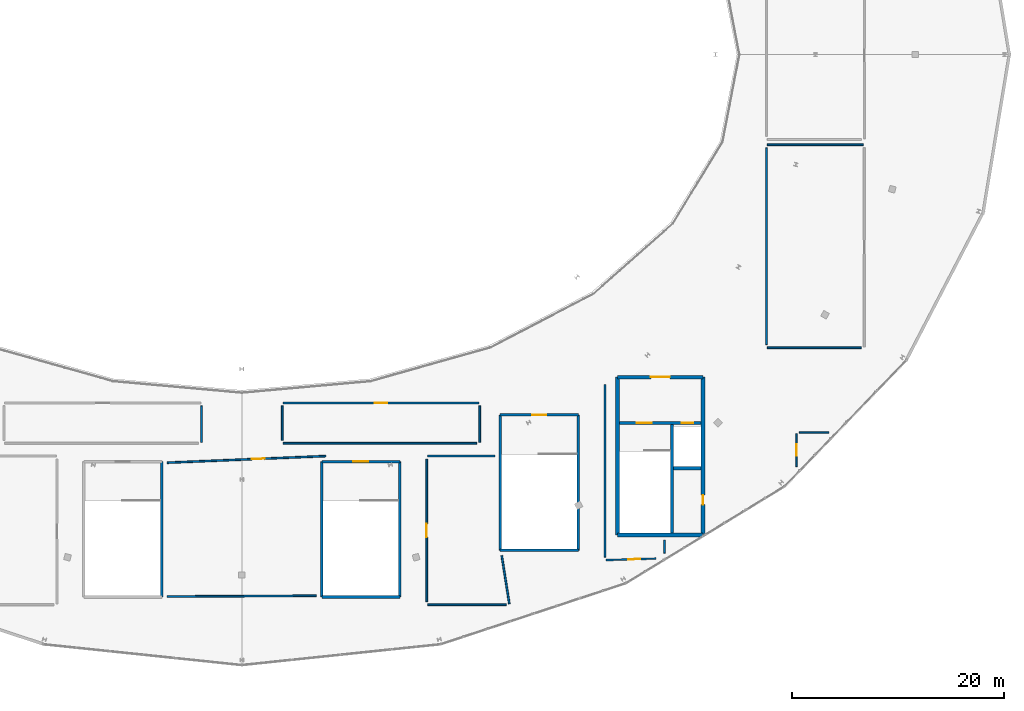
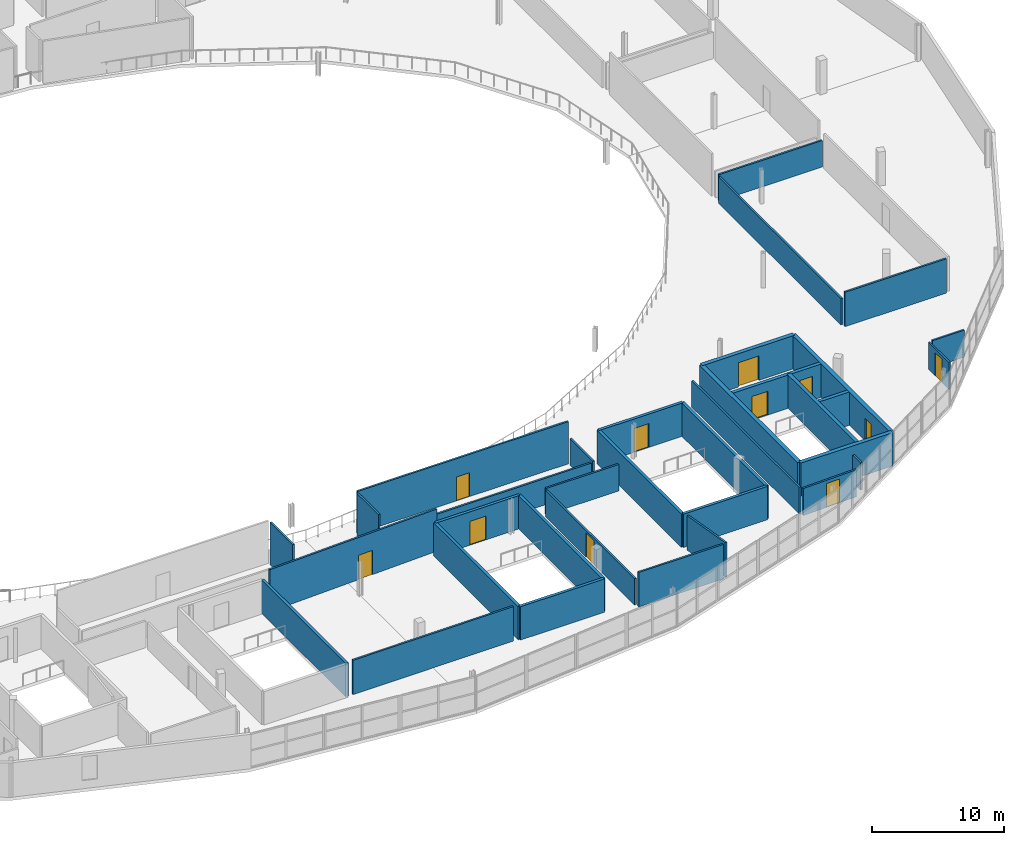
# One storey, part 27 of 35: 35 walls, 11 doors, 11 openings.
"""IFC4 building model written with IfcOpenShell, lengths in metres."""

from ifc_helpers import new_model, si_unit, direction, frame, frame_2d, origin, place, context, subcontext, project, spatial, rectangle, extrude, material, layer, layer_set, type_object, element, fill, save


model = new_model("IFC4")

# Units and contexts
model_context = context("Model", 3, precision=1e-05, world=origin(), true_north=direction((0.0, 1.0)))
body_context = subcontext(model_context, "Body", "Model", "MODEL_VIEW")
ifc_project = project(units=[si_unit("LENGTHUNIT", "METRE"), si_unit("AREAUNIT", "SQUARE_METRE"), si_unit("VOLUMEUNIT", "CUBIC_METRE"), si_unit("PLANEANGLEUNIT", "RADIAN"), si_unit("MASSUNIT", "GRAM", prefix="KILO")], contexts=[model_context])

# Site, building, storey
site_placement = place(None, origin())
site = spatial("IfcSite", under=ifc_project, at=site_placement, CompositionType="ELEMENT")
building_placement = place(site_placement, origin())
building = spatial("IfcBuilding", under=site, at=building_placement, Name="Kalgoora Escarpment Arena", CompositionType="ELEMENT")
storey_placement = place(building_placement, frame((0.0, 0.0, 23.39990234375)))
storey = spatial("IfcBuildingStorey", under=building, at=storey_placement, Name="L05", CompositionType="ELEMENT", Elevation=23.39990234375)

# Wall
ifc_material_1 = material(Name="Concrete N50 (fc' 50 MPa)", Category="concrete")
ifc_layer_1 = layer(ifc_material_1, 0.35009765625)
ifc_layer_set_1 = layer_set([ifc_layer_1], Name="WAL-CORE-350")
wall_type_1 = type_object("IfcWallType", Name="WAL-CORE-350", PredefinedType="SHEAR", material=ifc_layer_set_1)
wall_1_placement = place(storey_placement, frame((127.77490234375, 18.77490234375, 0.0), z_axis=(0.0, 0.0, 1.0), x_axis=(1.0, 0.0, 0.0)))
element("IfcWall", 1, at=wall_1_placement, inside=storey, type_object=wall_type_1, Name="Core C6 L05 south shear wall", PredefinedType="SHEAR", context=body_context, shape_type="SweptSolid", body=[
    extrude(rectangle(XDim=8.050048828125, YDim=0.35009765625, at=frame_2d((4.02490234375, 0.0))), origin(), (0.0, 0.0, 1.0), 3.080078125),
])

# Wall, opening, door
wall_2_placement = place(storey_placement, frame((127.77490234375, 33.625, 0.0), z_axis=(0.0, 0.0, 1.0), x_axis=(1.0, 0.0, 0.0)))
wall_2 = element("IfcWall", 2, at=wall_2_placement, inside=storey, type_object=wall_type_1, Name="Core C6 L05 north lobby wall", PredefinedType="SHEAR", context=body_context, shape_type="SweptSolid", body=[
    extrude(rectangle(XDim=8.050048828125, YDim=0.35009765625, at=frame_2d((4.02490234375, 0.0))), origin(), (0.0, 0.0, 1.0), 3.080078125),
])
opening_1_placement = place(wall_2_placement, frame((3.125, 0.0, 0.0)))
opening_1 = element("IfcOpeningElement", 3, at=opening_1_placement, cuts=wall_2, Name="Opening FD-C6L", PredefinedType="OPENING", context=body_context, shape_type="SweptSolid", body=[
    extrude(rectangle(XDim=1.800048828125, YDim=2.25, at=frame_2d((0.89990234375, 1.125))), frame((0.0, 0.18505859375, 0.0), z_axis=(0.0, -1.0, 0.0), x_axis=(1.0, 0.0, 0.0)), (0.0, 0.0, 1.0), 0.3701171875),
])
ifc_material_2 = material(Name="Double fire-rated smoke-seal lobby door")
door_type_1 = type_object("IfcDoorType", Name="DR-LOBBY-1800", OperationType="NOTDEFINED", PredefinedType="DOOR", material=ifc_material_2)
door_1_placement = place(opening_1_placement, origin())
door_1 = element("IfcDoor", 4, at=door_1_placement, inside=storey, type_object=door_type_1, Name="Core C6 L05 smoke-lobby fire door", OperationType="DOUBLE_DOOR_SINGLE_SWING", OverallHeight=2.25, OverallWidth=1.800048828125, PredefinedType="DOOR", context=body_context, shape_type="SweptSolid", body=[
    extrude(rectangle(XDim=1.800048828125, YDim=2.25, at=frame_2d((0.89990234375, 1.125))), frame((0.0, 0.02490234375, 0.0), z_axis=(0.0, -1.0, 0.0), x_axis=(1.0, 0.0, 0.0)), (0.0, 0.0, 1.0), 0.050048828125),
])
fill(opening_1, door_1)

# Wall
wall_3_placement = place(storey_placement, frame((127.77490234375, 18.77490234375, 0.0), z_axis=(0.0, 0.0, 1.0), x_axis=(0.0, 1.0, 0.0)))
element("IfcWall", 5, at=wall_3_placement, inside=storey, type_object=wall_type_1, Name="Core C6 L05 west shear wall", PredefinedType="SHEAR", context=body_context, shape_type="SweptSolid", body=[
    extrude(rectangle(XDim=14.85009765625, YDim=0.35009765625, at=frame_2d((7.425048828125, 0.0))), origin(), (0.0, 0.0, 1.0), 3.080078125),
])

# Wall, opening, door
wall_4_placement = place(storey_placement, frame((135.824951171875, 18.77490234375, 0.0), z_axis=(0.0, 0.0, 1.0), x_axis=(0.0, 1.0, 0.0)))
wall_4 = element("IfcWall", 6, at=wall_4_placement, inside=storey, type_object=wall_type_1, Name="Core C6 L05 east shear wall", PredefinedType="SHEAR", context=body_context, shape_type="SweptSolid", body=[
    extrude(rectangle(XDim=14.85009765625, YDim=0.35009765625, at=frame_2d((7.425048828125, 0.0))), origin(), (0.0, 0.0, 1.0), 3.080078125),
])
opening_2_placement = place(wall_4_placement, frame((2.85498046875, 0.0, 0.0)))
opening_2 = element("IfcOpeningElement", 7, at=opening_2_placement, cuts=wall_4, Name="Opening FD-C6R", PredefinedType="OPENING", context=body_context, shape_type="SweptSolid", body=[
    extrude(rectangle(XDim=0.89990234375, YDim=2.10009765625, at=frame_2d((0.449951171875, 1.050048828125))), frame((0.0, 0.18505859375, 0.0), z_axis=(0.0, -1.0, 0.0), x_axis=(1.0, 0.0, 0.0)), (0.0, 0.0, 1.0), 0.3701171875),
])
ifc_material_3 = material(Name="Fire-rated steel riser access door", Category="steel")
door_type_2 = type_object("IfcDoorType", Name="DR-RISER-0900", OperationType="NOTDEFINED", PredefinedType="DOOR", material=ifc_material_3)
door_2_placement = place(opening_2_placement, origin())
door_2 = element("IfcDoor", 8, at=door_2_placement, inside=storey, type_object=door_type_2, Name="Core C6 L05 riser cupboard access door", OperationType="SINGLE_SWING_RIGHT", OverallHeight=2.10009765625, OverallWidth=0.89990234375, PredefinedType="DOOR", context=body_context, shape_type="SweptSolid", body=[
    extrude(rectangle(XDim=0.89990234375, YDim=2.10009765625, at=frame_2d((0.449951171875, 1.050048828125))), frame((0.0, 0.02490234375, 0.0), z_axis=(0.0, -1.0, 0.0), x_axis=(1.0, 0.0, 0.0)), (0.0, 0.0, 1.0), 0.050048828125),
])
fill(opening_2, door_2)

# Walls
ifc_material_4 = material(Name="Broadcast acoustic double-stud partition", Category="gypsum")
ifc_layer_2 = layer(ifc_material_4, 0.1650390625)
ifc_layer_set_2 = layer_set([ifc_layer_2], Name="WAL-MED-165")
wall_type_2 = type_object("IfcWallType", Name="WAL-MED-165", PredefinedType="PARTITIONING", material=ifc_layer_set_2)
wall_5_placement = place(storey_placement, frame((141.8798828125, 55.5, 0.0), z_axis=(0.0, 0.0, 1.0), x_axis=(1.0, 0.0, 0.0)))
element("IfcWall", 9, at=wall_5_placement, inside=storey, type_object=wall_type_2, Name="L05 Photographers Editing Room partition wall", PredefinedType="PARTITIONING", context=body_context, shape_type="SweptSolid", body=[
    extrude(rectangle(XDim=9.0400390625, YDim=0.1650390625, at=frame_2d((4.52001953125, 0.0))), origin(), (0.0, 0.0, 1.0), 2.445068359375),
])
wall_6_placement = place(storey_placement, frame((150.715087890625, 36.39990234375, 0.0), z_axis=(0.0, 0.0, 1.0), x_axis=(-1.0, 0.0, 0.0)))
element("IfcWall", 10, at=wall_6_placement, inside=storey, type_object=wall_type_2, Name="L05 Photographers Editing Room partition wall", PredefinedType="PARTITIONING", context=body_context, shape_type="SweptSolid", body=[
    extrude(rectangle(XDim=8.835205078125, YDim=0.1650390625, at=frame_2d((4.41748046875, 0.0))), origin(), (0.0, 0.0, 1.0), 3.18017578125),
])
wall_7_placement = place(storey_placement, frame((141.800048828125, 36.684814453125, 0.0), z_axis=(0.0, 0.0, 1.0), x_axis=(0.0, 1.0, 0.0)))
element("IfcWall", 11, at=wall_7_placement, inside=storey, type_object=wall_type_2, Name="L05 Photographers Editing Room partition wall", PredefinedType="PARTITIONING", context=body_context, shape_type="SweptSolid", body=[
    extrude(rectangle(XDim=18.5302734375, YDim=0.1650390625, at=frame_2d((9.26513671875, 0.0))), origin(), (0.0, 0.0, 1.0), 2.445068359375),
])
wall_8_placement = place(storey_placement, frame((132.199951171875, 18.27490234375, 0.0), z_axis=(0.0, 0.0, 1.0), x_axis=(0.0, -1.0, 0.0)))
element("IfcWall", 12, at=wall_8_placement, inside=storey, type_object=wall_type_2, Name="L05 East Press Wire Room partition wall", PredefinedType="PARTITIONING", context=body_context, shape_type="SweptSolid", body=[
    extrude(rectangle(XDim=1.21240234375, YDim=0.1650390625, at=frame_2d((0.606201171875, 0.0))), origin(), (0.0, 0.0, 1.0), 2.5),
])

# Wall, opening, door
wall_9_placement = place(storey_placement, frame((131.41259765625, 16.548095703125, 0.0), z_axis=(0.0, 0.0, 1.0), x_axis=(-0.999527694341, -0.030730900481, 0.0)))
wall_9 = element("IfcWall", 13, at=wall_9_placement, inside=storey, type_object=wall_type_2, Name="L05 East Press Wire Room partition wall", PredefinedType="PARTITIONING", context=body_context, shape_type="SweptSolid", body=[
    extrude(rectangle(XDim=4.73486328125, YDim=0.1650390625, at=frame_2d((2.367431640625, 0.0))), origin(), (0.0, 0.0, 1.0), 2.5),
])
opening_3_placement = place(wall_9_placement, frame((1.505615234375, 0.0, 0.0)))
opening_3 = element("IfcOpeningElement", 14, at=opening_3_placement, cuts=wall_9, Name="Opening FD-I160", PredefinedType="OPENING", context=body_context, shape_type="SweptSolid", body=[
    extrude(rectangle(XDim=1.14990234375, YDim=2.199951171875, at=frame_2d((0.574951171875, 1.10009765625))), frame((0.0, 0.092529296875, 0.0), z_axis=(0.0, -1.0, 0.0), x_axis=(1.0, 0.0, 0.0)), (0.0, 0.0, 1.0), 0.18505859375),
])
ifc_material_5 = material(Name="Acoustic seal commentary suite leaf")
door_type_3 = type_object("IfcDoorType", Name="DR-MED-1150", OperationType="NOTDEFINED", PredefinedType="DOOR", material=ifc_material_5)
door_3_placement = place(opening_3_placement, origin())
door_3 = element("IfcDoor", 15, at=door_3_placement, inside=storey, type_object=door_type_3, Name="East Press Wire Room entrance door", OperationType="SINGLE_SWING_RIGHT", OverallHeight=2.199951171875, OverallWidth=1.14990234375, PredefinedType="DOOR", context=body_context, shape_type="SweptSolid", body=[
    extrude(rectangle(XDim=1.14990234375, YDim=2.199951171875, at=frame_2d((0.574951171875, 1.10009765625))), frame((0.0, 0.02490234375, 0.0), z_axis=(0.0, -1.0, 0.0), x_axis=(1.0, 0.0, 0.0)), (0.0, 0.0, 1.0), 0.050048828125),
])
fill(opening_3, door_3)

# Walls
wall_10_placement = place(storey_placement, frame((126.60009765625, 16.687255859375, 0.0), z_axis=(0.0, 0.0, 1.0), x_axis=(0.0, 1.0, 0.0)))
element("IfcWall", 16, at=wall_10_placement, inside=storey, type_object=wall_type_2, Name="L05 East Press Wire Room partition wall", PredefinedType="PARTITIONING", context=body_context, shape_type="SweptSolid", body=[
    extrude(rectangle(XDim=16.232666015625, YDim=0.1650390625, at=frame_2d((8.1162109375, 0.0))), origin(), (0.0, 0.0, 1.0), 2.445068359375),
])
wall_11_placement = place(storey_placement, frame((88.60009765625, 30.915283203125, 0.0), z_axis=(0.0, 0.0, 1.0), x_axis=(0.0, -1.0, 0.0)))
element("IfcWall", 17, at=wall_11_placement, inside=storey, type_object=wall_type_2, Name="L05 South Broadcast Observation partition wall", PredefinedType="PARTITIONING", context=body_context, shape_type="SweptSolid", body=[
    extrude(rectangle(XDim=3.435302734375, YDim=0.1650390625, at=frame_2d((1.7177734375, 0.0))), origin(), (0.0, 0.0, 1.0), 3.900146484375),
])

# Wall, opening, door
wall_12_placement = place(storey_placement, frame((96.280029296875, 31.199951171875, 0.0), z_axis=(0.0, 0.0, 1.0), x_axis=(1.0, 0.0, 0.0)))
wall_12 = element("IfcWall", 18, at=wall_12_placement, inside=storey, type_object=wall_type_2, Name="L05 East Scoreboard Replay Suite partition wall", PredefinedType="PARTITIONING", context=body_context, shape_type="SweptSolid", body=[
    extrude(rectangle(XDim=18.43994140625, YDim=0.1650390625, at=frame_2d((9.219970703125, 0.0))), origin(), (0.0, 0.0, 1.0), 3.900146484375),
])
opening_4_placement = place(wall_12_placement, frame((8.64501953125, 0.0, 0.0)))
opening_4 = element("IfcOpeningElement", 19, at=opening_4_placement, cuts=wall_12, Name="Opening FD-I172", PredefinedType="OPENING", context=body_context, shape_type="SweptSolid", body=[
    extrude(rectangle(XDim=1.14990234375, YDim=2.199951171875, at=frame_2d((0.574951171875, 1.10009765625))), frame((0.0, 0.092529296875, 0.0), z_axis=(0.0, -1.0, 0.0), x_axis=(1.0, 0.0, 0.0)), (0.0, 0.0, 1.0), 0.18505859375),
])
door_4_placement = place(opening_4_placement, origin())
door_4 = element("IfcDoor", 20, at=door_4_placement, inside=storey, type_object=door_type_3, Name="East Scoreboard Replay Suite entrance door", OperationType="SINGLE_SWING_RIGHT", OverallHeight=2.199951171875, OverallWidth=1.14990234375, PredefinedType="DOOR", context=body_context, shape_type="SweptSolid", body=[
    extrude(rectangle(XDim=1.14990234375, YDim=2.199951171875, at=frame_2d((0.574951171875, 1.10009765625))), frame((0.0, 0.02490234375, 0.0), z_axis=(0.0, -1.0, 0.0), x_axis=(1.0, 0.0, 0.0)), (0.0, 0.0, 1.0), 0.050048828125),
])
fill(opening_4, door_4)

# Walls
wall_13_placement = place(storey_placement, frame((114.800048828125, 30.915283203125, 0.0), z_axis=(0.0, 0.0, 1.0), x_axis=(0.0, -1.0, 0.0)))
element("IfcWall", 21, at=wall_13_placement, inside=storey, type_object=wall_type_2, Name="L05 East Scoreboard Replay Suite partition wall", PredefinedType="PARTITIONING", context=body_context, shape_type="SweptSolid", body=[
    extrude(rectangle(XDim=3.435302734375, YDim=0.1650390625, at=frame_2d((1.7177734375, 0.0))), origin(), (0.0, 0.0, 1.0), 2.445068359375),
])
wall_14_placement = place(storey_placement, frame((114.51513671875, 27.39990234375, 0.0), z_axis=(0.0, 0.0, 1.0), x_axis=(-1.0, 0.0, 0.0)))
element("IfcWall", 22, at=wall_14_placement, inside=storey, type_object=wall_type_2, Name="L05 East Scoreboard Replay Suite partition wall", PredefinedType="PARTITIONING", context=body_context, shape_type="SweptSolid", body=[
    extrude(rectangle(XDim=18.235107421875, YDim=0.1650390625, at=frame_2d((9.11767578125, 0.0))), origin(), (0.0, 0.0, 1.0), 2.445068359375),
])
wall_15_placement = place(storey_placement, frame((96.199951171875, 27.684814453125, 0.0), z_axis=(0.0, 0.0, 1.0), x_axis=(0.0, 1.0, 0.0)))
element("IfcWall", 23, at=wall_15_placement, inside=storey, type_object=wall_type_2, Name="L05 East Scoreboard Replay Suite partition wall", PredefinedType="PARTITIONING", context=body_context, shape_type="SweptSolid", body=[
    extrude(rectangle(XDim=3.23046875, YDim=0.1650390625, at=frame_2d((1.615234375, 0.0))), origin(), (0.0, 0.0, 1.0), 3.900146484375),
])

# Wall, opening, door
wall_16_placement = place(storey_placement, frame((85.375, 25.57275390625, 0.0), z_axis=(0.0, 0.0, 1.0), x_axis=(0.999129420221, 0.041718121344, 0.0)))
wall_16 = element("IfcWall", 24, at=wall_16_placement, inside=storey, type_object=wall_type_2, Name="L05 Scoreboard Lighting Control partition wall", PredefinedType="PARTITIONING", context=body_context, shape_type="SweptSolid", body=[
    extrude(rectangle(XDim=14.9580078125, YDim=0.1650390625, at=frame_2d((7.47900390625, 0.0))), origin(), (0.0, 0.0, 1.0), 3.900146484375),
])
opening_5_placement = place(wall_16_placement, frame((7.95068359375, 0.0, 0.0)))
opening_5 = element("IfcOpeningElement", 25, at=opening_5_placement, cuts=wall_16, Name="Opening FD-I174", PredefinedType="OPENING", context=body_context, shape_type="SweptSolid", body=[
    extrude(rectangle(XDim=1.25, YDim=2.25, at=frame_2d((0.625, 1.125))), frame((0.0, 0.092529296875, 0.0), z_axis=(0.0, -1.0, 0.0), x_axis=(1.0, 0.0, 0.0)), (0.0, 0.0, 1.0), 0.18505859375),
])
ifc_material_6 = material(Name="Acoustic seal broadcast studio leaf")
door_type_4 = type_object("IfcDoorType", Name="DR-MED-1250", OperationType="NOTDEFINED", PredefinedType="DOOR", material=ifc_material_6)
door_5_placement = place(opening_5_placement, origin())
door_5 = element("IfcDoor", 26, at=door_5_placement, inside=storey, type_object=door_type_4, Name="Scoreboard Lighting Control entrance door", OperationType="SINGLE_SWING_RIGHT", OverallHeight=2.25, OverallWidth=1.25, PredefinedType="DOOR", context=body_context, shape_type="SweptSolid", body=[
    extrude(rectangle(XDim=1.25, YDim=2.25, at=frame_2d((0.625, 1.125))), frame((0.0, 0.02490234375, 0.0), z_axis=(0.0, -1.0, 0.0), x_axis=(1.0, 0.0, 0.0)), (0.0, 0.0, 1.0), 0.050048828125),
])
fill(opening_5, door_5)

# Walls
wall_17_placement = place(storey_placement, frame((99.425048828125, 13.047119140625, 0.0), z_axis=(0.0, 0.0, 1.0), x_axis=(-0.99998686198, -0.005125999136, 0.0)))
element("IfcWall", 27, at=wall_17_placement, inside=storey, type_object=wall_type_2, Name="L05 Scoreboard Lighting Control partition wall", PredefinedType="PARTITIONING", context=body_context, shape_type="SweptSolid", body=[
    extrude(rectangle(XDim=14.05029296875, YDim=0.1650390625, at=frame_2d((7.025146484375, 0.0))), origin(), (0.0, 0.0, 1.0), 3.18017578125),
])
wall_18_placement = place(storey_placement, frame((109.8798828125, 26.199951171875, 0.0), z_axis=(0.0, 0.0, 1.0), x_axis=(1.0, 0.0, 0.0)))
element("IfcWall", 28, at=wall_18_placement, inside=storey, type_object=wall_type_2, Name="L05 Arena Sound Mixing Suite partition wall", PredefinedType="PARTITIONING", context=body_context, shape_type="SweptSolid", body=[
    extrude(rectangle(XDim=6.34521484375, YDim=0.1650390625, at=frame_2d((3.172607421875, 0.0))), origin(), (0.0, 0.0, 1.0), 2.445068359375),
])
wall_19_placement = place(storey_placement, frame((116.867919921875, 16.825927734375, 0.0), z_axis=(0.0, 0.0, 1.0), x_axis=(0.156292094159, -0.987710879409, 0.0)))
element("IfcWall", 29, at=wall_19_placement, inside=storey, type_object=wall_type_2, Name="L05 Arena Sound Mixing Suite partition wall", PredefinedType="PARTITIONING", context=body_context, shape_type="SweptSolid", body=[
    extrude(rectangle(XDim=4.603515625, YDim=0.1650390625, at=frame_2d((2.3017578125, 0.0))), origin(), (0.0, 0.0, 1.0), 3.18017578125),
])
wall_20_placement = place(storey_placement, frame((117.30224609375, 12.199951171875, 0.0), z_axis=(0.0, 0.0, 1.0), x_axis=(-1.0, 0.0, 0.0)))
element("IfcWall", 30, at=wall_20_placement, inside=storey, type_object=wall_type_2, Name="L05 Arena Sound Mixing Suite partition wall", PredefinedType="PARTITIONING", context=body_context, shape_type="SweptSolid", body=[
    extrude(rectangle(XDim=7.42236328125, YDim=0.1650390625, at=frame_2d((3.711181640625, 0.0))), origin(), (0.0, 0.0, 1.0), 3.18017578125),
])

# Wall, opening, door
wall_21_placement = place(storey_placement, frame((109.800048828125, 12.48486328125, 0.0), z_axis=(0.0, 0.0, 1.0), x_axis=(0.0, 1.0, 0.0)))
wall_21 = element("IfcWall", 31, at=wall_21_placement, inside=storey, type_object=wall_type_2, Name="L05 Arena Sound Mixing Suite partition wall", PredefinedType="PARTITIONING", context=body_context, shape_type="SweptSolid", body=[
    extrude(rectangle(XDim=13.430419921875, YDim=0.1650390625, at=frame_2d((6.71533203125, 0.0))), origin(), (0.0, 0.0, 1.0), 2.445068359375),
])
opening_6_placement = place(wall_21_placement, frame((6.090087890625, 0.0, 0.0)))
opening_6 = element("IfcOpeningElement", 32, at=opening_6_placement, cuts=wall_21, Name="Opening FD-I175", PredefinedType="OPENING", context=body_context, shape_type="SweptSolid", body=[
    extrude(rectangle(XDim=1.25, YDim=2.25, at=frame_2d((0.625, 1.125))), frame((0.0, 0.092529296875, 0.0), z_axis=(0.0, -1.0, 0.0), x_axis=(1.0, 0.0, 0.0)), (0.0, 0.0, 1.0), 0.18505859375),
])
door_6_placement = place(opening_6_placement, origin())
door_6 = element("IfcDoor", 33, at=door_6_placement, inside=storey, type_object=door_type_4, Name="Arena Sound Mixing Suite entrance door", OperationType="SINGLE_SWING_LEFT", OverallHeight=2.25, OverallWidth=1.25, PredefinedType="DOOR", context=body_context, shape_type="SweptSolid", body=[
    extrude(rectangle(XDim=1.25, YDim=2.25, at=frame_2d((0.625, 1.125))), frame((0.0, 0.02490234375, 0.0), z_axis=(0.0, -1.0, 0.0), x_axis=(1.0, 0.0, 0.0)), (0.0, 0.0, 1.0), 0.050048828125),
])
fill(opening_6, door_6)

ifc_material_7 = material(Name="Insulated steel-stud acoustic partition", Category="steel")
ifc_layer_3 = layer(ifc_material_7, 0.14501953125)
ifc_layer_set_3 = layer_set([ifc_layer_3], Name="WAL-ROOM-145")
wall_type_3 = type_object("IfcWallType", Name="WAL-ROOM-145", PredefinedType="PARTITIONING", material=ifc_layer_set_3)
wall_22_placement = place(storey_placement, frame((144.60009765625, 25.21435546875, 0.0), z_axis=(0.0, 0.0, 1.0), x_axis=(0.0, 1.0, 0.0)))
wall_22 = element("IfcWall", 34, at=wall_22_placement, inside=storey, type_object=wall_type_3, Name="L05 South East Technical Workshop partition wall", PredefinedType="PARTITIONING", context=body_context, shape_type="SweptSolid", body=[
    extrude(rectangle(XDim=3.105712890625, YDim=0.14501953125, at=frame_2d((1.552734375, 0.0))), origin(), (0.0, 0.0, 1.0), 2.5),
])
opening_7_placement = place(wall_22_placement, frame((1.0126953125, 0.0, 0.0)))
opening_7 = element("IfcOpeningElement", 35, at=opening_7_placement, cuts=wall_22, Name="Opening FD-I161", PredefinedType="OPENING", context=body_context, shape_type="SweptSolid", body=[
    extrude(rectangle(XDim=1.080078125, YDim=2.14990234375, at=frame_2d((0.5400390625, 1.074951171875))), frame((0.0, 0.08251953125, 0.0), z_axis=(0.0, -1.0, 0.0), x_axis=(1.0, 0.0, 0.0)), (0.0, 0.0, 1.0), 0.1650390625),
])
ifc_material_8 = material(Name="Solid-core acoustic timber door", Category="wood")
door_type_5 = type_object("IfcDoorType", Name="DR-GEN-1080", OperationType="NOTDEFINED", PredefinedType="DOOR", material=ifc_material_8)
door_7_placement = place(opening_7_placement, origin())
door_7 = element("IfcDoor", 36, at=door_7_placement, inside=storey, type_object=door_type_5, Name="South East Technical Workshop entrance door", OperationType="SINGLE_SWING_LEFT", OverallHeight=2.14990234375, OverallWidth=1.080078125, PredefinedType="DOOR", context=body_context, shape_type="SweptSolid", body=[
    extrude(rectangle(XDim=1.080078125, YDim=2.14990234375, at=frame_2d((0.5400390625, 1.074951171875))), frame((0.0, 0.02490234375, 0.0), z_axis=(0.0, -1.0, 0.0), x_axis=(1.0, 0.0, 0.0)), (0.0, 0.0, 1.0), 0.050048828125),
])
fill(opening_7, door_7)

# Wall
wall_23_placement = place(storey_placement, frame((144.884765625, 28.39990234375, 0.0), z_axis=(0.0, 0.0, 1.0), x_axis=(1.0, 0.0, 0.0)))
element("IfcWall", 37, at=wall_23_placement, inside=storey, type_object=wall_type_3, Name="L05 South East Technical Workshop partition wall", PredefinedType="PARTITIONING", context=body_context, shape_type="SweptSolid", body=[
    extrude(rectangle(XDim=2.78515625, YDim=0.14501953125, at=frame_2d((1.392578125, 0.0))), origin(), (0.0, 0.0, 1.0), 2.5),
])

# Wall, openings, doors
ifc_material_9 = material(Name="Concrete N50 (fc' 50 MPa)", Category="concrete")
ifc_layer_4 = layer(ifc_material_9, 0.300048828125)
ifc_layer_set_4 = layer_set([ifc_layer_4], Name="WAL-SHAFT-300")
wall_type_4 = type_object("IfcWallType", Name="WAL-SHAFT-300", PredefinedType="SHEAR", material=ifc_layer_set_4)
wall_24_placement = place(storey_placement, frame((127.949951171875, 29.300048828125, 0.0), z_axis=(0.0, 0.0, 1.0), x_axis=(1.0, 0.0, 0.0)))
wall_24 = element("IfcWall", 38, at=wall_24_placement, inside=storey, type_object=wall_type_4, Name="Core C6 L05 lobby shaft wall", PredefinedType="SHEAR", context=body_context, shape_type="SweptSolid", body=[
    extrude(rectangle(XDim=7.699951171875, YDim=0.300048828125, at=frame_2d((3.85009765625, 0.0))), origin(), (0.0, 0.0, 1.0), 3.080078125),
])
opening_8_placement = place(wall_24_placement, frame((1.64990234375, 0.0, 0.0)))
opening_8 = element("IfcOpeningElement", 39, at=opening_8_placement, cuts=wall_24, Name="Opening FD-ST06", PredefinedType="OPENING", context=body_context, shape_type="SweptSolid", body=[
    extrude(rectangle(XDim=1.39990234375, YDim=2.199951171875, at=frame_2d((0.699951171875, 1.10009765625))), frame((0.0, 0.159912109375, 0.0), z_axis=(0.0, -1.0, 0.0), x_axis=(1.0, 0.0, 0.0)), (0.0, 0.0, 1.0), 0.320068359375),
])
opening_9_placement = place(wall_24_placement, frame((5.85009765625, 0.0, 0.0)))
opening_9 = element("IfcOpeningElement", 40, at=opening_9_placement, cuts=wall_24, Name="Opening LD-PL4", PredefinedType="OPENING", context=body_context, shape_type="SweptSolid", body=[
    extrude(rectangle(XDim=1.10009765625, YDim=2.199951171875, at=frame_2d((0.550048828125, 1.10009765625))), frame((0.0, 0.159912109375, 0.0), z_axis=(0.0, -1.0, 0.0), x_axis=(1.0, 0.0, 0.0)), (0.0, 0.0, 1.0), 0.320068359375),
])
ifc_material_10 = material(Name="Brushed stainless steel sliding lift landing door", Category="steel")
door_type_6 = type_object("IfcDoorType", Name="DR-LD-PL4", OperationType="SLIDING_TO_LEFT", PredefinedType="DOOR", material=ifc_material_10)
door_8_placement = place(opening_9_placement, origin())
door_8 = element("IfcDoor", 41, at=door_8_placement, inside=storey, type_object=door_type_6, Name="Lift PL4 L05 sliding landing door", OperationType="SLIDING_TO_LEFT", OverallHeight=2.199951171875, OverallWidth=1.10009765625, PredefinedType="DOOR", context=body_context, shape_type="SweptSolid", body=[
    extrude(rectangle(XDim=1.10009765625, YDim=2.199951171875, at=frame_2d((0.550048828125, 1.10009765625))), frame((0.0, 0.02490234375, 0.0), z_axis=(0.0, -1.0, 0.0), x_axis=(1.0, 0.0, 0.0)), (0.0, 0.0, 1.0), 0.050048828125),
])
fill(opening_9, door_8)
ifc_material_11 = material(Name="Fire-rated steel stair leaf with vision panel", Category="steel")
door_type_7 = type_object("IfcDoorType", Name="DR-STAIR-1400", OperationType="NOTDEFINED", PredefinedType="DOOR", material=ifc_material_11)
door_9_placement = place(opening_8_placement, origin())
door_9 = element("IfcDoor", 42, at=door_9_placement, inside=storey, type_object=door_type_7, Name="Fire stair ST06 L05 fire door", OperationType="SINGLE_SWING_LEFT", OverallHeight=2.199951171875, OverallWidth=1.39990234375, PredefinedType="DOOR", context=body_context, shape_type="SweptSolid", body=[
    extrude(rectangle(XDim=1.39990234375, YDim=2.199951171875, at=frame_2d((0.699951171875, 1.10009765625))), frame((0.0, 0.02490234375, 0.0), z_axis=(0.0, -1.0, 0.0), x_axis=(1.0, 0.0, 0.0)), (0.0, 0.0, 1.0), 0.050048828125),
])
fill(opening_8, door_9)

# Walls
wall_25_placement = place(storey_placement, frame((132.89990234375, 18.949951171875, 0.0), z_axis=(0.0, 0.0, 1.0), x_axis=(0.0, 1.0, 0.0)))
element("IfcWall", 43, at=wall_25_placement, inside=storey, type_object=wall_type_4, Name="Core C6 L05 stair-lift spine wall", PredefinedType="SHEAR", context=body_context, shape_type="SweptSolid", body=[
    extrude(rectangle(XDim=10.35009765625, YDim=0.300048828125, at=frame_2d((5.175048828125, 0.0))), origin(), (0.0, 0.0, 1.0), 3.080078125),
])
wall_26_placement = place(storey_placement, frame((133.050048828125, 25.050048828125, 0.0), z_axis=(0.0, 0.0, 1.0), x_axis=(1.0, 0.0, 0.0)))
element("IfcWall", 44, at=wall_26_placement, inside=storey, type_object=wall_type_4, Name="Core C6 L05 lift-riser divider wall", PredefinedType="SHEAR", context=body_context, shape_type="SweptSolid", body=[
    extrude(rectangle(XDim=2.599853515625, YDim=0.300048828125, at=frame_2d((1.2998046875, 0.0))), origin(), (0.0, 0.0, 1.0), 3.080078125),
])
ifc_material_12 = material(Name="Concrete N50 (fc' 50 MPa)", Category="concrete")
ifc_layer_5 = layer(ifc_material_12, 0.25)
ifc_layer_set_5 = layer_set([ifc_layer_5], Name="WAL-STAIR-250")
wall_type_5 = type_object("IfcWallType", Name="WAL-STAIR-250", PredefinedType="SHEAR", material=ifc_layer_set_5)
wall_27_placement = place(storey_placement, frame((84.875, 12.925048828125, 0.0), z_axis=(0.0, 0.0, 1.0), x_axis=(0.0, 1.0, 0.0)))
element("IfcWall", 45, at=wall_27_placement, inside=storey, type_object=wall_type_5, Name="Exit stair ST14 L05 east wall", PredefinedType="SHEAR", context=body_context, shape_type="SweptSolid", body=[
    extrude(rectangle(XDim=12.75, YDim=0.25, at=frame_2d((6.375, 0.0))), origin(), (0.0, 0.0, 1.0), 3.080078125),
])
wall_28_placement = place(storey_placement, frame((99.925048828125, 12.925048828125, 0.0), z_axis=(0.0, 0.0, 1.0), x_axis=(1.0, 0.0, 0.0)))
element("IfcWall", 46, at=wall_28_placement, inside=storey, type_object=wall_type_5, Name="Exit stair ST15 L05 south wall", PredefinedType="SHEAR", context=body_context, shape_type="SweptSolid", body=[
    extrude(rectangle(XDim=7.349853515625, YDim=0.25, at=frame_2d((3.6748046875, 0.0))), origin(), (0.0, 0.0, 1.0), 3.080078125),
])

# Wall, opening, door
wall_29_placement = place(storey_placement, frame((99.925048828125, 25.675048828125, 0.0), z_axis=(0.0, 0.0, 1.0), x_axis=(1.0, 0.0, 0.0)))
wall_29 = element("IfcWall", 47, at=wall_29_placement, inside=storey, type_object=wall_type_5, Name="Exit stair ST15 L05 north wall", PredefinedType="SHEAR", context=body_context, shape_type="SweptSolid", body=[
    extrude(rectangle(XDim=7.349853515625, YDim=0.25, at=frame_2d((3.6748046875, 0.0))), origin(), (0.0, 0.0, 1.0), 3.080078125),
])
opening_10_placement = place(wall_29_placement, frame((2.97509765625, 0.0, 0.0)))
opening_10 = element("IfcOpeningElement", 48, at=opening_10_placement, cuts=wall_29, Name="Opening FD-ST15", PredefinedType="OPENING", context=body_context, shape_type="SweptSolid", body=[
    extrude(rectangle(XDim=1.39990234375, YDim=2.199951171875, at=frame_2d((0.699951171875, 1.10009765625))), frame((0.0, 0.135009765625, 0.0), z_axis=(0.0, -1.0, 0.0), x_axis=(1.0, 0.0, 0.0)), (0.0, 0.0, 1.0), 0.27001953125),
])
door_10_placement = place(opening_10_placement, origin())
door_10 = element("IfcDoor", 49, at=door_10_placement, inside=storey, type_object=door_type_7, Name="Fire-isolated stair ST15 L05 egress door", OperationType="SINGLE_SWING_RIGHT", OverallHeight=2.199951171875, OverallWidth=1.39990234375, PredefinedType="DOOR", context=body_context, shape_type="SweptSolid", body=[
    extrude(rectangle(XDim=1.39990234375, YDim=2.199951171875, at=frame_2d((0.699951171875, 1.10009765625))), frame((0.0, 0.02490234375, 0.0), z_axis=(0.0, -1.0, 0.0), x_axis=(1.0, 0.0, 0.0)), (0.0, 0.0, 1.0), 0.050048828125),
])
fill(opening_10, door_10)

# Walls
for number, where, z_axis, x_axis, name in (
    (50, (99.925048828125, 12.925048828125, 0.0), (0.0, 0.0, 1.0), (0.0, 1.0, 0.0), "Exit stair ST15 L05 west wall"),
    (51, (107.27490234375, 12.925048828125, 0.0), (0.0, 0.0, 1.0), (0.0, 1.0, 0.0), "Exit stair ST15 L05 east wall"),
):
    element("IfcWall", number, at=place(storey_placement, frame(where, z_axis=z_axis, x_axis=x_axis)), inside=storey, type_object=wall_type_5, Name=name, PredefinedType="SHEAR", context=body_context, shape_type="SweptSolid", body=[
        extrude(rectangle(XDim=12.75, YDim=0.25, at=frame_2d((6.375, 0.0))), origin(), (0.0, 0.0, 1.0), 3.080078125),
    ])
wall_30_placement = place(storey_placement, frame((116.72509765625, 17.324951171875, 0.0), z_axis=(0.0, 0.0, 1.0), x_axis=(1.0, 0.0, 0.0)))
element("IfcWall", 52, at=wall_30_placement, inside=storey, type_object=wall_type_5, Name="Exit stair ST16 L05 south wall", PredefinedType="SHEAR", context=body_context, shape_type="SweptSolid", body=[
    extrude(rectangle(XDim=7.349853515625, YDim=0.25, at=frame_2d((3.6748046875, 0.0))), origin(), (0.0, 0.0, 1.0), 3.080078125),
])

# Wall, opening, door
wall_31_placement = place(storey_placement, frame((116.72509765625, 30.074951171875, 0.0), z_axis=(0.0, 0.0, 1.0), x_axis=(1.0, 0.0, 0.0)))
wall_31 = element("IfcWall", 53, at=wall_31_placement, inside=storey, type_object=wall_type_5, Name="Exit stair ST16 L05 north wall", PredefinedType="SHEAR", context=body_context, shape_type="SweptSolid", body=[
    extrude(rectangle(XDim=7.349853515625, YDim=0.25, at=frame_2d((3.6748046875, 0.0))), origin(), (0.0, 0.0, 1.0), 3.080078125),
])
opening_11_placement = place(wall_31_placement, frame((3.014892578125, 0.0, 0.0)))
opening_11 = element("IfcOpeningElement", 54, at=opening_11_placement, cuts=wall_31, Name="Opening FD-ST16", PredefinedType="OPENING", context=body_context, shape_type="SweptSolid", body=[
    extrude(rectangle(XDim=1.320068359375, YDim=2.199951171875, at=frame_2d((0.66015625, 1.10009765625))), frame((0.0, 0.135009765625, 0.0), z_axis=(0.0, -1.0, 0.0), x_axis=(1.0, 0.0, 0.0)), (0.0, 0.0, 1.0), 0.27001953125),
])
ifc_material_13 = material(Name="Fire-rated steel stair leaf with vision panel", Category="steel")
door_type_8 = type_object("IfcDoorType", Name="DR-STAIR-1320", OperationType="NOTDEFINED", PredefinedType="DOOR", material=ifc_material_13)
door_11_placement = place(opening_11_placement, origin())
door_11 = element("IfcDoor", 55, at=door_11_placement, inside=storey, type_object=door_type_8, Name="Fire-isolated stair ST16 L05 egress door", OperationType="SINGLE_SWING_RIGHT", OverallHeight=2.199951171875, OverallWidth=1.320068359375, PredefinedType="DOOR", context=body_context, shape_type="SweptSolid", body=[
    extrude(rectangle(XDim=1.320068359375, YDim=2.199951171875, at=frame_2d((0.66015625, 1.10009765625))), frame((0.0, 0.02490234375, 0.0), z_axis=(0.0, -1.0, 0.0), x_axis=(1.0, 0.0, 0.0)), (0.0, 0.0, 1.0), 0.050048828125),
])
fill(opening_11, door_11)

# Walls
for number, where, z_axis, x_axis, name in (
    (56, (116.72509765625, 17.324951171875, 0.0), (0.0, 0.0, 1.0), (0.0, 1.0, 0.0), "Exit stair ST16 L05 west wall"),
    (57, (124.074951171875, 17.324951171875, 0.0), (0.0, 0.0, 1.0), (0.0, 1.0, 0.0), "Exit stair ST16 L05 east wall"),
):
    element("IfcWall", number, at=place(storey_placement, frame(where, z_axis=z_axis, x_axis=x_axis)), inside=storey, type_object=wall_type_5, Name=name, PredefinedType="SHEAR", context=body_context, shape_type="SweptSolid", body=[
        extrude(rectangle(XDim=12.75, YDim=0.25, at=frame_2d((6.375, 0.0))), origin(), (0.0, 0.0, 1.0), 3.080078125),
    ])

save(model, "model.ifc")
